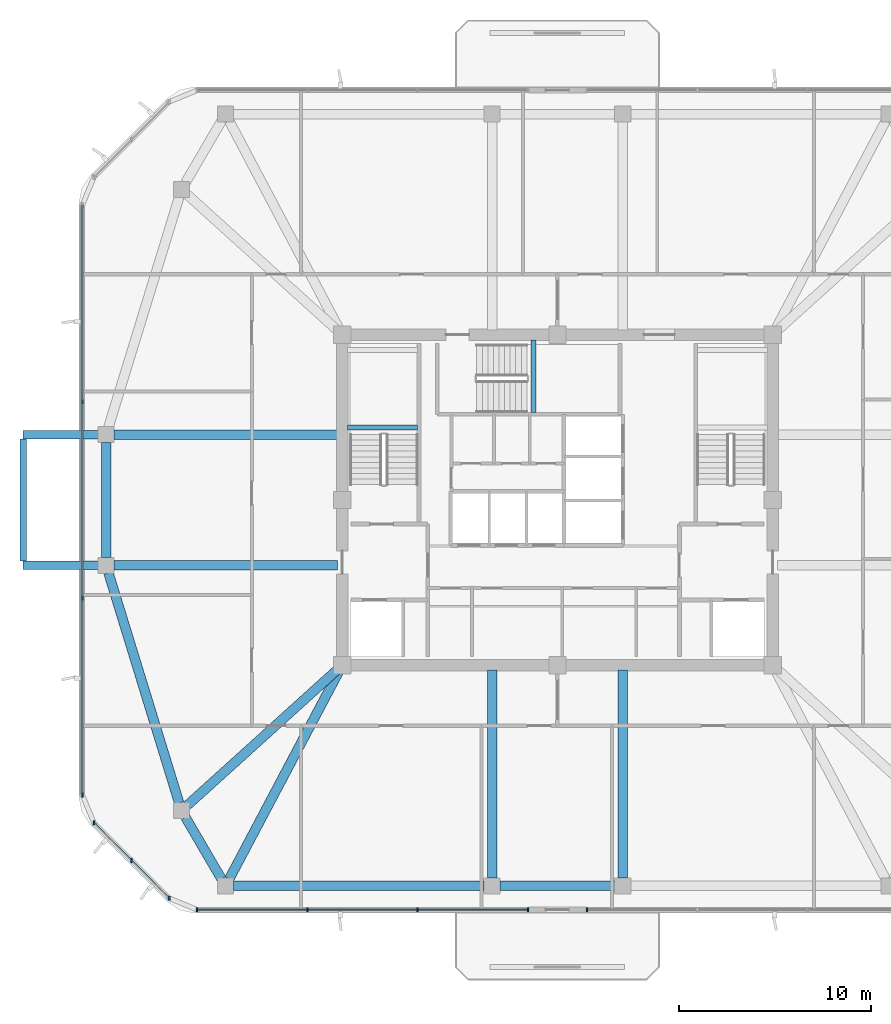
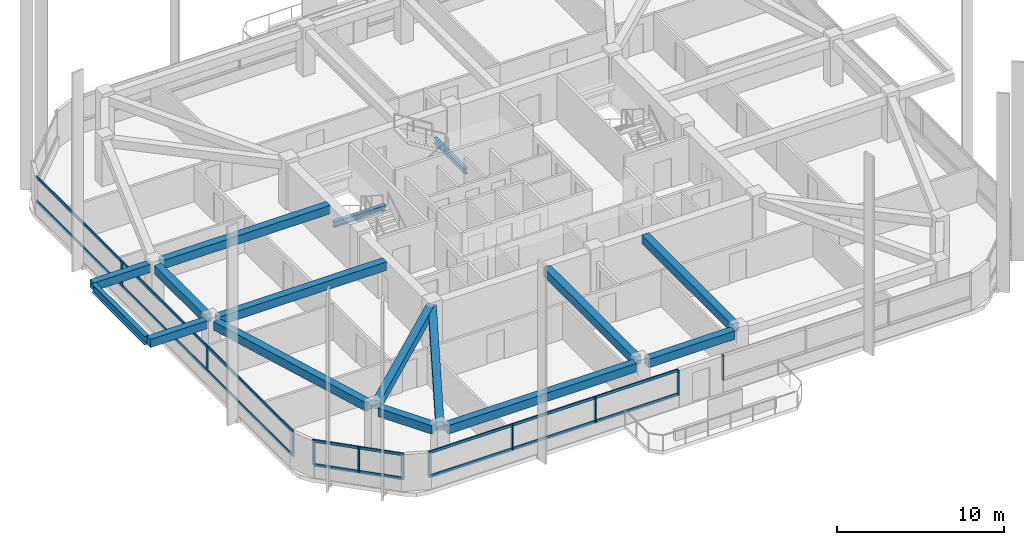
# One storey, part 2 of 13: 17 members, 16 beams, 4 elements without a shape of their own.
"""IFC4 building model written with IfcOpenShell, lengths in metres."""

from ifc_helpers import new_model, si_unit, derived_unit, direction, frame, origin, origin_2d, place, context, subcontext, project, spatial, rectangle, i_section, extrude, material, material_profile, profile_set, type_object, element, aggregate, save


model = new_model("IFC4")

# Units and contexts
model_context = context("Model", 3, precision=1e-05, world=origin(), true_north=direction((0.0, 1.0)))
body_context = subcontext(model_context, "Body", "Model", "MODEL_VIEW")
ifc_project = project(units=[si_unit("LENGTHUNIT", "METRE"), si_unit("AREAUNIT", "SQUARE_METRE"), si_unit("VOLUMEUNIT", "CUBIC_METRE"), si_unit("PLANEANGLEUNIT", "RADIAN"), si_unit("MASSUNIT", "GRAM", prefix="KILO"), derived_unit("THERMALTRANSMITTANCEUNIT", [(si_unit("POWERUNIT", "WATT"), 1), (si_unit("LENGTHUNIT", "METRE"), -2), (si_unit("THERMODYNAMICTEMPERATUREUNIT", "KELVIN"), -1)])], contexts=[model_context])

# Site, building, storey
site_placement = place(None, origin())
site = spatial("IfcSite", under=ifc_project, at=site_placement, CompositionType="ELEMENT")
building_placement = place(site_placement, origin())
building = spatial("IfcBuilding", under=site, at=building_placement, Name="Koralith Skygarden Medical Center", CompositionType="ELEMENT")
storey_placement = place(building_placement, frame((0.0, 0.0, 253.6201171875)))
storey = spatial("IfcBuildingStorey", under=building, at=storey_placement, Name="L65", CompositionType="ELEMENT", Elevation=253.6201171875)

# Curtain wall, members
ifc_material_1 = material(Name="Clear Laminated Glass", Category="glass")
curtain_wall_type = type_object("IfcCurtainWallType", Name="CW-6 Zone 5 Upper Clinical Curtain Wall", PredefinedType="NOTDEFINED", material=ifc_material_1)
curtain_wall_1_placement = place(storey_placement, origin())
curtain_wall_1 = element("IfcCurtainWall", 1, at=curtain_wall_1_placement, inside=storey, type_object=curtain_wall_type, Name="Curtain Wall CW-L65-S-L", PredefinedType="NOTDEFINED")
ifc_material_2 = material(Name="Aluminium 6063-T6", Category="aluminium")
ifc_material_profile_1 = material_profile(ifc_material_2, rectangle(XDim=0.0830078125, YDim=0.219970703125, at=origin_2d()), Name="MUL83X220")
ifc_profile_set_1 = profile_set([ifc_material_profile_1], Name="Aluminium 6063-T6")
member_type_1 = type_object("IfcMemberType", Name="CW-6 Extruded Mullion 83x220", PredefinedType="MULLION", material=ifc_profile_set_1)
member_1_placement = place(storey_placement, frame((18.2548828125, 4.580078125, 0.849853515625), z_axis=(0.0, 0.0, 1.0), x_axis=(1.0, 0.0, 0.0)))
member_1 = element("IfcMember", 2, at=member_1_placement, type_object=member_type_1, Name="CW-L65-S-L Mullion 1", PredefinedType="MULLION", context=body_context, shape_type="SweptSolid", body=[
    extrude(rectangle(XDim=0.0830078125, YDim=0.219970703125, at=origin_2d()), origin(), (0.0, 0.0, 1.0), 1.840087890625),
])
member_2_placement = place(storey_placement, frame((23.989990234375, 4.580078125, 0.849853515625), z_axis=(0.0, 0.0, 1.0), x_axis=(1.0, 0.0, 0.0)))
member_2 = element("IfcMember", 3, at=member_2_placement, type_object=member_type_1, Name="CW-L65-S-L Mullion 2", PredefinedType="MULLION", context=body_context, shape_type="SweptSolid", body=[
    extrude(rectangle(XDim=0.0830078125, YDim=0.219970703125, at=origin_2d()), origin(), (0.0, 0.0, 1.0), 1.840087890625),
])
member_3_placement = place(storey_placement, frame((29.72412109375, 4.580078125, 0.849853515625), z_axis=(0.0, 0.0, 1.0), x_axis=(1.0, 0.0, 0.0)))
member_3 = element("IfcMember", 4, at=member_3_placement, type_object=member_type_1, Name="CW-L65-S-L Mullion 3", PredefinedType="MULLION", context=body_context, shape_type="SweptSolid", body=[
    extrude(rectangle(XDim=0.0830078125, YDim=0.219970703125, at=origin_2d()), origin(), (0.0, 0.0, 1.0), 1.840087890625),
])
member_4_placement = place(storey_placement, frame((35.458984375, 4.580078125, 0.849853515625), z_axis=(0.0, 0.0, 1.0), x_axis=(1.0, 0.0, 0.0)))
member_4 = element("IfcMember", 5, at=member_4_placement, type_object=member_type_1, Name="CW-L65-S-L Mullion 4", PredefinedType="MULLION", context=body_context, shape_type="SweptSolid", body=[
    extrude(rectangle(XDim=0.0830078125, YDim=0.219970703125, at=origin_2d()), origin(), (0.0, 0.0, 1.0), 1.840087890625),
])

# Curtain wall, member
curtain_wall_2_placement = place(storey_placement, origin())
curtain_wall_2 = element("IfcCurtainWall", 6, at=curtain_wall_2_placement, inside=storey, type_object=curtain_wall_type, Name="Curtain Wall CW-L65-S-R", PredefinedType="NOTDEFINED")
member_5_placement = place(storey_placement, frame((38.5390625, 4.580078125, 0.849853515625), z_axis=(0.0, 0.0, 1.0), x_axis=(1.0, 0.0, 0.0)))
member_5 = element("IfcMember", 7, at=member_5_placement, type_object=member_type_1, Name="CW-L65-S-R Mullion 1", PredefinedType="MULLION", context=body_context, shape_type="SweptSolid", body=[
    extrude(rectangle(XDim=0.0830078125, YDim=0.219970703125, at=origin_2d()), origin(), (0.0, 0.0, 1.0), 1.840087890625),
])
aggregate(curtain_wall_2, [member_5])

# Curtain wall, members
curtain_wall_3_placement = place(storey_placement, origin())
curtain_wall_3 = element("IfcCurtainWall", 8, at=curtain_wall_3_placement, inside=storey, type_object=curtain_wall_type, Name="Curtain Wall CW-L65-W", PredefinedType="NOTDEFINED")
member_6_placement = place(storey_placement, frame((12.280029296875, 31.014892578125, 0.849853515625), z_axis=(0.0, 0.0, 1.0), x_axis=(1.0, 0.0, 0.0)))
member_6 = element("IfcMember", 9, at=member_6_placement, type_object=member_type_1, Name="CW-L65-W Mullion 2", PredefinedType="MULLION", context=body_context, shape_type="SweptSolid", body=[
    extrude(rectangle(XDim=0.0830078125, YDim=0.219970703125, at=origin_2d()), origin(), (0.0, 0.0, 1.0), 1.840087890625),
])
member_7_placement = place(storey_placement, frame((12.280029296875, 20.784912109375, 0.849853515625), z_axis=(0.0, 0.0, 1.0), x_axis=(1.0, 0.0, 0.0)))
member_7 = element("IfcMember", 10, at=member_7_placement, type_object=member_type_1, Name="CW-L65-W Mullion 3", PredefinedType="MULLION", context=body_context, shape_type="SweptSolid", body=[
    extrude(rectangle(XDim=0.0830078125, YDim=0.219970703125, at=origin_2d()), origin(), (0.0, 0.0, 1.0), 1.840087890625),
])
member_8_placement = place(storey_placement, frame((12.280029296875, 10.554931640625, 0.849853515625), z_axis=(0.0, 0.0, 1.0), x_axis=(1.0, 0.0, 0.0)))
member_8 = element("IfcMember", 11, at=member_8_placement, type_object=member_type_1, Name="CW-L65-W Mullion 4", PredefinedType="MULLION", context=body_context, shape_type="SweptSolid", body=[
    extrude(rectangle(XDim=0.0830078125, YDim=0.219970703125, at=origin_2d()), origin(), (0.0, 0.0, 1.0), 1.840087890625),
])

curtain_wall_4_placement = place(storey_placement, origin())
curtain_wall_4 = element("IfcCurtainWall", 12, at=curtain_wall_4_placement, inside=storey, type_object=curtain_wall_type, Name="Curtain Wall CW-L65-SW", PredefinedType="NOTDEFINED")
member_9_placement = place(storey_placement, frame((12.881103515625, 9.10400390625, 0.849853515625), z_axis=(0.0, 0.0, 1.0), x_axis=(1.0, 0.0, 0.0)))
member_9 = element("IfcMember", 13, at=member_9_placement, type_object=member_type_1, Name="CW-L65-SW Mullion 1", PredefinedType="MULLION", context=body_context, shape_type="SweptSolid", body=[
    extrude(rectangle(XDim=0.0830078125, YDim=0.219970703125, at=origin_2d()), origin(), (0.0, 0.0, 1.0), 1.840087890625),
])
member_10_placement = place(storey_placement, frame((14.842041015625, 7.14306640625, 0.849853515625), z_axis=(0.0, 0.0, 1.0), x_axis=(1.0, 0.0, 0.0)))
member_10 = element("IfcMember", 14, at=member_10_placement, type_object=member_type_1, Name="CW-L65-SW Mullion 2", PredefinedType="MULLION", context=body_context, shape_type="SweptSolid", body=[
    extrude(rectangle(XDim=0.0830078125, YDim=0.219970703125, at=origin_2d()), origin(), (0.0, 0.0, 1.0), 1.840087890625),
])
member_11_placement = place(storey_placement, frame((16.803955078125, 5.180908203125, 0.849853515625), z_axis=(0.0, 0.0, 1.0), x_axis=(1.0, 0.0, 0.0)))
member_11 = element("IfcMember", 15, at=member_11_placement, type_object=member_type_1, Name="CW-L65-SW Mullion 3", PredefinedType="MULLION", context=body_context, shape_type="SweptSolid", body=[
    extrude(rectangle(XDim=0.0830078125, YDim=0.219970703125, at=origin_2d()), origin(), (0.0, 0.0, 1.0), 1.840087890625),
])

# Member
ifc_material_profile_2 = material_profile(ifc_material_2, rectangle(XDim=0.077880859375, YDim=0.197998046875, at=origin_2d()), Name="TRN78X198")
ifc_profile_set_2 = profile_set([ifc_material_profile_2], Name="Aluminium 6063-T6")
member_type_2 = type_object("IfcMemberType", Name="CW-6 Thermal Transom 78x198", PredefinedType="USERDEFINED", material=ifc_profile_set_2)
member_12_placement = place(storey_placement, frame((18.2548828125, 4.580078125, 0.89990234375), z_axis=(1.0, 0.0, 0.0), x_axis=(0.0, 1.0, 0.0)))
member_12 = element("IfcMember", 16, at=member_12_placement, type_object=member_type_2, Name="CW-L65-S-L Transom 1", ObjectType="TRANSOM", PredefinedType="USERDEFINED", context=body_context, shape_type="SweptSolid", body=[
    extrude(rectangle(XDim=0.077880859375, YDim=0.197998046875, at=origin_2d()), origin(), (0.0, 0.0, 1.0), 17.2041015625),
])

member_13_placement = place(storey_placement, frame((18.2548828125, 4.580078125, 2.639892578125), z_axis=(1.0, 0.0, 0.0), x_axis=(0.0, 1.0, 0.0)))
member_13 = element("IfcMember", 17, at=member_13_placement, type_object=member_type_2, Name="CW-L65-S-L Transom 2", ObjectType="TRANSOM", PredefinedType="USERDEFINED", context=body_context, shape_type="SweptSolid", body=[
    extrude(rectangle(XDim=0.077880859375, YDim=0.197998046875, at=origin_2d()), origin(), (0.0, 0.0, 1.0), 17.2041015625),
])

aggregate(curtain_wall_1, [member_1, member_2, member_3, member_4, member_12, member_13])

member_14_placement = place(storey_placement, frame((12.280029296875, 41.2451171875, 0.89990234375), z_axis=(0.0, -1.0, 0.0), x_axis=(1.0, 0.0, 0.0)))
member_14 = element("IfcMember", 18, at=member_14_placement, type_object=member_type_2, Name="CW-L65-W Transom 1", ObjectType="TRANSOM", PredefinedType="USERDEFINED", context=body_context, shape_type="SweptSolid", body=[
    extrude(rectangle(XDim=0.077880859375, YDim=0.197998046875, at=origin_2d()), origin(), (0.0, 0.0, 1.0), 30.690185546875),
])

member_15_placement = place(storey_placement, frame((12.280029296875, 41.2451171875, 2.639892578125), z_axis=(0.0, -1.0, 0.0), x_axis=(1.0, 0.0, 0.0)))
member_15 = element("IfcMember", 19, at=member_15_placement, type_object=member_type_2, Name="CW-L65-W Transom 2", ObjectType="TRANSOM", PredefinedType="USERDEFINED", context=body_context, shape_type="SweptSolid", body=[
    extrude(rectangle(XDim=0.077880859375, YDim=0.197998046875, at=origin_2d()), origin(), (0.0, 0.0, 1.0), 30.690185546875),
])

aggregate(curtain_wall_3, [member_6, member_7, member_8, member_14, member_15])

member_16_placement = place(storey_placement, frame((12.881103515625, 9.10400390625, 0.89990234375), z_axis=(0.707084777957, -0.707128783731, 0.0), x_axis=(0.707128783731, 0.707084777957, 0.0)))
member_16 = element("IfcMember", 20, at=member_16_placement, type_object=member_type_2, Name="CW-L65-SW Transom 1", ObjectType="TRANSOM", PredefinedType="USERDEFINED", context=body_context, shape_type="SweptSolid", body=[
    extrude(rectangle(XDim=0.077880859375, YDim=0.197998046875, at=origin_2d()), origin(), (0.0, 0.0, 1.0), 5.5478515625),
])

member_17_placement = place(storey_placement, frame((12.881103515625, 9.10400390625, 2.639892578125), z_axis=(0.707084777957, -0.707128783731, 0.0), x_axis=(0.707128783731, 0.707084777957, 0.0)))
member_17 = element("IfcMember", 21, at=member_17_placement, type_object=member_type_2, Name="CW-L65-SW Transom 2", ObjectType="TRANSOM", PredefinedType="USERDEFINED", context=body_context, shape_type="SweptSolid", body=[
    extrude(rectangle(XDim=0.077880859375, YDim=0.197998046875, at=origin_2d()), origin(), (0.0, 0.0, 1.0), 5.5478515625),
])

aggregate(curtain_wall_4, [member_9, member_10, member_11, member_16, member_17])

# Beams
ifc_material_3 = material(Name="Steel ASTM A992 Grade 50", Category="steel")
ifc_material_profile_3 = material_profile(ifc_material_3, i_section(OverallWidth=0.326904296875, OverallDepth=0.6220703125, WebThickness=0.015380859375, FlangeThickness=0.0244140625, at=origin_2d()), Name="W24X131")
ifc_profile_set_3 = profile_set([ifc_material_profile_3], Name="Steel ASTM A992 Grade 50")
beam_type_1 = type_object("IfcBeamType", Name="Cantilever Tie Beam W24X131", PredefinedType="BEAM", material=ifc_profile_set_3)
beam_1_placement = place(storey_placement, frame((9.199951171875, 22.719970703125, 3.02880859375), z_axis=(0.0, 1.0, 0.0), x_axis=(-1.0, 0.0, 0.0)))
element("IfcBeam", 22, at=beam_1_placement, inside=storey, type_object=beam_type_1, Name="L66 W Balcony Tip Tie Beam", PredefinedType="BEAM", context=body_context, shape_type="SweptSolid", body=[
    extrude(i_section(OverallWidth=0.326904296875, OverallDepth=0.6220703125, WebThickness=0.015380859375, FlangeThickness=0.0244140625, at=origin_2d()), origin(), (0.0, 0.0, 1.0), 6.360107421875),
])
ifc_material_profile_4 = material_profile(ifc_material_3, i_section(OverallWidth=0.260009765625, OverallDepth=0.4150390625, WebThickness=0.010009765625, FlangeThickness=0.016845703125, at=origin_2d()), Name="W16X67")
ifc_profile_set_4 = profile_set([ifc_material_profile_4], Name="Steel ASTM A992 Grade 50")
beam_type_2 = type_object("IfcBeamType", Name="Clinical Floor Joist W16X67", PredefinedType="JOIST", material=ifc_profile_set_4)
beam_2_placement = place(storey_placement, frame((26.080078125, 29.659912109375, 1.391845703125), z_axis=(1.0, 0.0, 0.0), x_axis=(0.0, 1.0, 0.0)))
element("IfcBeam", 23, at=beam_2_placement, inside=storey, type_object=beam_type_2, Name="L65 Stair ST1 Half-Landing Support Beam 1A", PredefinedType="JOIST", context=body_context, shape_type="SweptSolid", body=[
    extrude(i_section(OverallWidth=0.260009765625, OverallDepth=0.4150390625, WebThickness=0.010009765625, FlangeThickness=0.016845703125, at=origin_2d()), origin(), (0.0, 0.0, 1.0), 3.639892578125),
])
beam_3_placement = place(storey_placement, frame((35.760009765625, 30.43994140625, 1.391845703125), z_axis=(0.0, 1.0, 0.0), x_axis=(-1.0, 0.0, 0.0)))
element("IfcBeam", 24, at=beam_3_placement, inside=storey, type_object=beam_type_2, Name="L65 Stair ST3 Half-Landing Support Beam 1A", PredefinedType="JOIST", context=body_context, shape_type="SweptSolid", body=[
    extrude(i_section(OverallWidth=0.260009765625, OverallDepth=0.4150390625, WebThickness=0.010009765625, FlangeThickness=0.016845703125, at=origin_2d()), origin(), (0.0, 0.0, 1.0), 3.780029296875),
])
ifc_material_4 = material(Name="Concrete C45/55", Category="concrete")
ifc_material_profile_5 = material_profile(ifc_material_4, rectangle(XDim=0.449951171875, YDim=0.60009765625, at=origin_2d()), Name="RCB450X600")
ifc_profile_set_5 = profile_set([ifc_material_profile_5], Name="Concrete C45/55")
beam_type_3 = type_object("IfcBeamType", Name="Planted Balcony Cantilever Beam RCB450X600", PredefinedType="BEAM", material=ifc_profile_set_5)
for number, where, z_axis, x_axis, name in (
    (25, (13.1201171875, 22.5, 3.039794921875), (-1.0, 0.0, 0.0), (0.0, -1.0, 0.0), "L66 W Balcony Cantilever Beam A"),
    (26, (13.1201171875, 29.300048828125, 3.039794921875), (-1.0, 0.0, 0.0), (0.0, -1.0, 0.0), "L66 W Balcony Cantilever Beam B"),
):
    element("IfcBeam", number, at=place(storey_placement, frame(where, z_axis=z_axis, x_axis=x_axis)), inside=storey, type_object=beam_type_3, Name=name, PredefinedType="BEAM", context=body_context, shape_type="SweptSolid", body=[
        extrude(rectangle(XDim=0.449951171875, YDim=0.60009765625, at=origin_2d()), origin(), (0.0, 0.0, 1.0), 3.920166015625),
    ])
ifc_material_profile_6 = material_profile(ifc_material_4, rectangle(XDim=0.5, YDim=0.6201171875, at=origin_2d()), Name="RCB500X620")
ifc_profile_set_6 = profile_set([ifc_material_profile_6], Name="Concrete C45/55")
beam_type_4 = type_object("IfcBeamType", Name="Upper Radial Collector Beam RCB500X620", PredefinedType="BEAM", material=ifc_profile_set_6)
beam_4_placement = place(storey_placement, frame((25.550048828125, 22.5, 3.009765625), z_axis=(-1.0, 0.0, 0.0), x_axis=(0.0, -1.0, 0.0)))
element("IfcBeam", 27, at=beam_4_placement, inside=storey, type_object=beam_type_4, Name="L65 Radial Collector Beam RB-01", PredefinedType="BEAM", context=body_context, shape_type="SweptSolid", body=[
    extrude(rectangle(XDim=0.5, YDim=0.6201171875, at=origin_2d()), origin(), (0.0, 0.0, 1.0), 11.6201171875),
])
beam_5_placement = place(storey_placement, frame((25.614990234375, 17.132080078125, 3.009765625), z_axis=(-0.741736323186, -0.670691603397, 0.0), x_axis=(0.670691603397, -0.741736323186, 0.0)))
element("IfcBeam", 28, at=beam_5_placement, inside=storey, type_object=beam_type_4, Name="L65 Radial Collector Beam RB-02", PredefinedType="BEAM", context=body_context, shape_type="SweptSolid", body=[
    extrude(rectangle(XDim=0.5, YDim=0.6201171875, at=origin_2d()), origin(), (0.0, 0.0, 1.0), 10.61181640625),
])
beam_6_placement = place(storey_placement, frame((25.68310546875, 17.0791015625, 3.009765625), z_axis=(-0.46724871287, -0.884125918816, 0.0), x_axis=(0.884125918816, -0.46724871287, 0.0)))
element("IfcBeam", 29, at=beam_6_placement, inside=storey, type_object=beam_type_4, Name="L65 Radial Collector Beam RB-03", PredefinedType="BEAM", context=body_context, shape_type="SweptSolid", body=[
    extrude(rectangle(XDim=0.5, YDim=0.6201171875, at=origin_2d()), origin(), (0.0, 0.0, 1.0), 12.325439453125),
])
for number, where, z_axis, x_axis, name in (
    (30, (33.60009765625, 17.050048828125, 3.009765625), (0.0, -1.0, 0.0), (1.0, 0.0, 0.0), "L65 Radial Collector Beam RB-04"),
    (31, (40.39990234375, 17.050048828125, 3.009765625), (0.0, -1.0, 0.0), (1.0, 0.0, 0.0), "L65 Radial Collector Beam RB-05"),
):
    element("IfcBeam", number, at=place(storey_placement, frame(where, z_axis=z_axis, x_axis=x_axis)), inside=storey, type_object=beam_type_4, Name=name, PredefinedType="BEAM", context=body_context, shape_type="SweptSolid", body=[
        extrude(rectangle(XDim=0.5, YDim=0.6201171875, at=origin_2d()), origin(), (0.0, 0.0, 1.0), 10.820068359375),
    ])
beam_7_placement = place(storey_placement, frame((25.550048828125, 29.300048828125, 3.009765625), z_axis=(-1.0, 0.0, 0.0), x_axis=(0.0, -1.0, 0.0)))
element("IfcBeam", 32, at=beam_7_placement, inside=storey, type_object=beam_type_4, Name="L65 Radial Collector Beam RB-16", PredefinedType="BEAM", context=body_context, shape_type="SweptSolid", body=[
    extrude(rectangle(XDim=0.5, YDim=0.6201171875, at=origin_2d()), origin(), (0.0, 0.0, 1.0), 11.6201171875),
])
ifc_material_profile_7 = material_profile(ifc_material_4, rectangle(XDim=0.5, YDim=0.6201171875, at=origin_2d()), Name="RCB500X620")
ifc_profile_set_7 = profile_set([ifc_material_profile_7], Name="Concrete C45/55")
beam_type_5 = type_object("IfcBeamType", Name="Zone 4-5 Spandrel Beam RCB500X620", PredefinedType="SPANDREL", material=ifc_profile_set_7)
beam_8_placement = place(storey_placement, frame((13.639892578125, 22.10791015625, 3.009765625), z_axis=(0.293743494914, -0.955884281279, 0.0), x_axis=(0.955884281279, 0.293743494914, 0.0)))
element("IfcBeam", 33, at=beam_8_placement, inside=storey, type_object=beam_type_5, Name="L65 Perimeter Spandrel Beam SP-01", PredefinedType="SPANDREL", context=body_context, shape_type="SweptSolid", body=[
    extrude(rectangle(XDim=0.5, YDim=0.6201171875, at=origin_2d()), origin(), (0.0, 0.0, 1.0), 12.528564453125),
])
beam_9_placement = place(storey_placement, frame((17.64697265625, 9.385986328125, 3.009765625), z_axis=(0.50473571007, -0.863273921175, 0.0), x_axis=(0.863273921175, 0.50473571007, 0.0)))
element("IfcBeam", 34, at=beam_9_placement, inside=storey, type_object=beam_type_5, Name="L65 Perimeter Spandrel Beam SP-02", PredefinedType="SPANDREL", context=body_context, shape_type="SweptSolid", body=[
    extrude(rectangle(XDim=0.5, YDim=0.6201171875, at=origin_2d()), origin(), (0.0, 0.0, 1.0), 3.720703125),
])
beam_10_placement = place(storey_placement, frame((20.14208984375, 5.820068359375, 3.009765625), z_axis=(1.0, 0.0, 0.0), x_axis=(0.0, 1.0, 0.0)))
element("IfcBeam", 35, at=beam_10_placement, inside=storey, type_object=beam_type_5, Name="L65 Perimeter Spandrel Beam SP-03", PredefinedType="SPANDREL", context=body_context, shape_type="SweptSolid", body=[
    extrude(rectangle(XDim=0.5, YDim=0.6201171875, at=origin_2d()), origin(), (0.0, 0.0, 1.0), 13.0478515625),
])
for number, where, z_axis, x_axis, name in (
    (36, (34.010009765625, 5.820068359375, 3.009765625), (1.0, 0.0, 0.0), (0.0, 1.0, 0.0), "L65 Perimeter Spandrel Beam SP-04"),
    (37, (13.52001953125, 28.889892578125, 3.009765625), (0.0, -1.0, 0.0), (1.0, 0.0, 0.0), "L65 Perimeter Spandrel Beam SP-16"),
):
    element("IfcBeam", number, at=place(storey_placement, frame(where, z_axis=z_axis, x_axis=x_axis)), inside=storey, type_object=beam_type_5, Name=name, PredefinedType="SPANDREL", context=body_context, shape_type="SweptSolid", body=[
        extrude(rectangle(XDim=0.5, YDim=0.6201171875, at=origin_2d()), origin(), (0.0, 0.0, 1.0), 5.97998046875),
    ])

save(model, "model.ifc")
